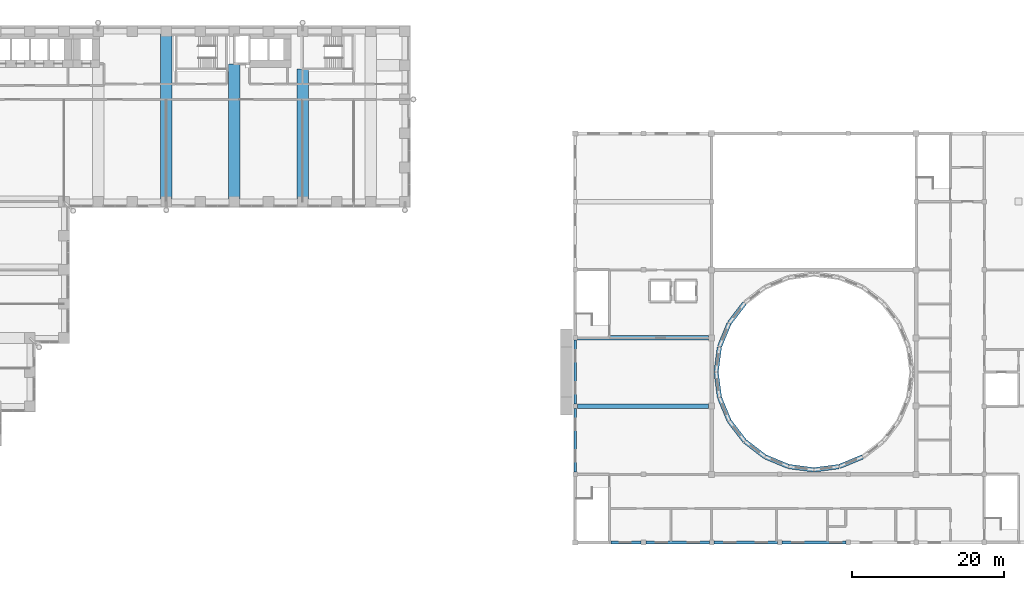
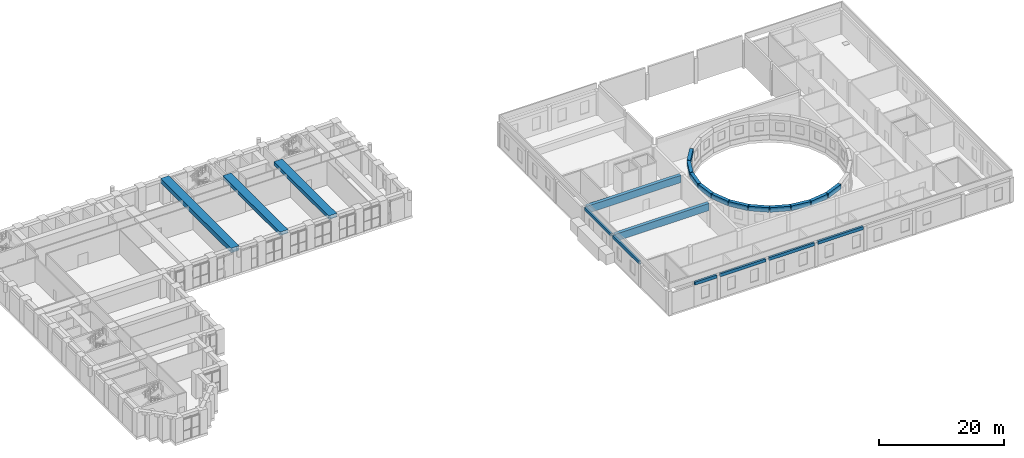
# One storey, part 7 of 35: 22 beams.
"""IFC4 building model written with IfcOpenShell, lengths in metres."""

from ifc_helpers import new_model, si_unit, direction, frame, origin, origin_2d, place, context, subcontext, project, spatial, rectangle, extrude, material, material_profile, profile_set, type_object, element, save


model = new_model("IFC4")

# Units and contexts
model_context = context("Model", 3, precision=1e-05, world=origin(), true_north=direction((0.0, 1.0)))
body_context = subcontext(model_context, "Body", "Model", "MODEL_VIEW")
ifc_project = project(units=[si_unit("LENGTHUNIT", "METRE"), si_unit("AREAUNIT", "SQUARE_METRE"), si_unit("VOLUMEUNIT", "CUBIC_METRE"), si_unit("PLANEANGLEUNIT", "RADIAN"), si_unit("MASSUNIT", "GRAM", prefix="KILO")], contexts=[model_context])

# Site, building, storey
site_placement = place(None, origin())
site = spatial("IfcSite", under=ifc_project, at=site_placement, CompositionType="ELEMENT")
building_placement = place(site_placement, origin())
building = spatial("IfcBuilding", under=site, at=building_placement, Name="Firuza Court", CompositionType="ELEMENT")
storey_placement = place(building_placement, frame((0.0, 0.0, 24.0)))
storey = spatial("IfcBuildingStorey", under=building, at=storey_placement, Name="L04", CompositionType="ELEMENT", Elevation=24.0)

# Beams
ifc_material_1 = material(Name="Concrete C40/50", Category="concrete")
ifc_material_profile_1 = material_profile(ifc_material_1, rectangle(XDim=1.5, YDim=0.699951171875, at=origin_2d()), Name="RC 1500x700")
ifc_profile_set_1 = profile_set([ifc_material_profile_1], Name="Concrete C40/50")
beam_type_1 = type_object("IfcBeamType", Name="Band beam RC 1500x700 C40/50", PredefinedType="BEAM", material=ifc_profile_set_1)
beam_1_placement = place(storey_placement, frame((45.0, 36.0, 4.35009765625), z_axis=(0.0, 1.0, 0.0), x_axis=(-1.0, 0.0, 0.0)))
element("IfcBeam", 1, at=beam_1_placement, inside=storey, type_object=beam_type_1, Name="Band beam FB1 level L05", PredefinedType="BEAM", context=body_context, shape_type="SweptSolid", body=[
    extrude(rectangle(XDim=1.5, YDim=0.699951171875, at=origin_2d()), origin(), (0.0, 0.0, 1.0), 18.199951171875),
])
beam_2_placement = place(storey_placement, frame((54.0, 36.0, 4.35009765625), z_axis=(0.0, 1.0, 0.0), x_axis=(-1.0, 0.0, 0.0)))
element("IfcBeam", 2, at=beam_2_placement, inside=storey, type_object=beam_type_1, Name="Band beam FB1 level L05", PredefinedType="BEAM", context=body_context, shape_type="SweptSolid", body=[
    extrude(rectangle(XDim=1.5, YDim=0.699951171875, at=origin_2d()), origin(), (0.0, 0.0, 1.0), 17.5),
])
ifc_material_2 = material(Name="Concrete C40/50", Category="concrete")
ifc_material_profile_2 = material_profile(ifc_material_2, rectangle(XDim=1.5, YDim=0.89990234375, at=origin_2d()), Name="RC 1500x900")
ifc_profile_set_2 = profile_set([ifc_material_profile_2], Name="Concrete C40/50")
beam_type_2 = type_object("IfcBeamType", Name="Band beam RC 1500x900 C40/50", PredefinedType="BEAM", material=ifc_profile_set_2)
beam_3_placement = place(storey_placement, frame((36.0, 36.0, 4.25), z_axis=(0.0, 1.0, 0.0), x_axis=(-1.0, 0.0, 0.0)))
element("IfcBeam", 3, at=beam_3_placement, inside=storey, type_object=beam_type_2, Name="Band beam FB2 level L05", PredefinedType="BEAM", context=body_context, shape_type="SweptSolid", body=[
    extrude(rectangle(XDim=1.5, YDim=0.89990234375, at=origin_2d()), origin(), (0.0, 0.0, 1.0), 22.5),
])
ifc_material_3 = material(Name="Concrete C40/50", Category="concrete")
ifc_material_profile_3 = material_profile(ifc_material_3, rectangle(XDim=0.60009765625, YDim=0.89990234375, at=origin_2d()), Name="RC 600X900 RING")
ifc_profile_set_3 = profile_set([ifc_material_profile_3], Name="Concrete C40/50")
beam_type_3 = type_object("IfcBeamType", Name="RC DRUM RING BEAM 600X900", PredefinedType="BEAM", material=ifc_profile_set_3)
for number, where, z_axis, x_axis, name in (
    (4, (112.346923828125, 22.59765625, 4.85009765625), (-0.608781872031, -0.79333765339, 0.0), (0.79333765339, -0.608781872031, 0.0), "Drum ring beam 10"),
    (5, (110.30419921875, 19.918701171875, 4.85009765625), (-0.382681538037, -0.923880317165, 0.0), (0.923880317165, -0.382681538037, 0.0), "Drum ring beam 11"),
    (6, (109.0244140625, 16.80224609375, 4.85009765625), (-0.130550451475, -0.99144166728, 0.0), (0.99144166728, -0.130550451475, 0.0), "Drum ring beam 12"),
    (7, (108.5947265625, 13.4609375, 4.85009765625), (0.130550451475, -0.99144166728, 0.0), (0.99144166728, 0.130550451475, 0.0), "Drum ring beam 13"),
    (8, (109.044677734375, 10.1220703125, 4.85009765625), (0.382681538037, -0.923880317165, 0.0), (0.923880317165, 0.382681538037, 0.0), "Drum ring beam 14"),
    (9, (110.34326171875, 7.013427734375, 4.85009765625), (0.608781872031, -0.79333765339, 0.0), (0.79333765339, 0.608781872031, 0.0), "Drum ring beam 15"),
    (10, (112.40234375, 4.346923828125, 4.85009765625), (0.79333765339, -0.608781872031, 0.0), (0.608781872031, 0.79333765339, 0.0), "Drum ring beam 16"),
    (11, (115.081298828125, 2.30419921875, 4.85009765625), (0.923880317165, -0.382681538037, 0.0), (0.382681538037, 0.923880317165, 0.0), "Drum ring beam 17"),
    (12, (118.19775390625, 1.0244140625, 4.85009765625), (0.99144166728, -0.130550451475, 0.0), (0.130550451475, 0.99144166728, 0.0), "Drum ring beam 18"),
    (13, (121.5390625, 0.5947265625, 4.85009765625), (0.99144166728, 0.130550451475, 0.0), (-0.130550451475, 0.99144166728, 0.0), "Drum ring beam 19"),
    (14, (124.8779296875, 1.044677734375, 4.85009765625), (0.923880317165, 0.382681538037, 0.0), (-0.382681538037, 0.923880317165, 0.0), "Drum ring beam 20"),
):
    element("IfcBeam", number, at=place(storey_placement, frame(where, z_axis=z_axis, x_axis=x_axis)), inside=storey, type_object=beam_type_3, Name=name, PredefinedType="BEAM", context=body_context, shape_type="SweptSolid", body=[
        extrude(rectangle(XDim=0.60009765625, YDim=0.89990234375, at=origin_2d()), origin(), (0.0, 0.0, 1.0), 3.291259765625),
    ])
ifc_material_4 = material(Name="Concrete C40/50", Category="concrete")
ifc_material_profile_4 = material_profile(ifc_material_4, rectangle(XDim=0.60009765625, YDim=1.39990234375, at=origin_2d()), Name="RC 600X1400")
ifc_profile_set_4 = profile_set([ifc_material_profile_4], Name="Concrete C40/50")
beam_type_4 = type_object("IfcBeamType", Name="RC GIRDER 600X1400", PredefinedType="BEAM", material=ifc_profile_set_4)
beam_4_placement = place(storey_placement, frame((90.300537109375, 9.0, 4.0), z_axis=(1.0, 0.0, 0.0), x_axis=(0.0, 1.0, 0.0)))
element("IfcBeam", 15, at=beam_4_placement, inside=storey, type_object=beam_type_4, Name="Girder 9 L04", PredefinedType="BEAM", context=body_context, shape_type="SweptSolid", body=[
    extrude(rectangle(XDim=0.60009765625, YDim=1.39990234375, at=origin_2d()), origin(), (0.0, 0.0, 1.0), 17.299072265625),
])
ifc_material_5 = material(Name="Concrete C40/50", Category="concrete")
ifc_material_profile_5 = material_profile(ifc_material_5, rectangle(XDim=0.35009765625, YDim=0.60009765625, at=origin_2d()), Name="RC 350X600")
ifc_profile_set_5 = profile_set([ifc_material_profile_5], Name="Concrete C40/50")
beam_type_5 = type_object("IfcBeamType", Name="RC RING BEAM 350X600", PredefinedType="BEAM", material=ifc_profile_set_5)
beam_5_placement = place(storey_placement, frame((94.699951171875, -9.0, 4.39990234375), z_axis=(1.0, 0.0, 0.0), x_axis=(0.0, 1.0, 0.0)))
element("IfcBeam", 16, at=beam_5_placement, inside=storey, type_object=beam_type_5, Name="Edge beam S1.1 L04", PredefinedType="BEAM", context=body_context, shape_type="SweptSolid", body=[
    extrude(rectangle(XDim=0.35009765625, YDim=0.60009765625, at=origin_2d()), origin(), (0.0, 0.0, 1.0), 4.0),
])
for number, where, z_axis, x_axis, name in (
    (17, (99.300048828125, -9.0, 4.39990234375), (1.0, 0.0, 0.0), (0.0, 1.0, 0.0), "Edge beam S3.1 L04"),
    (18, (108.300048828125, -9.0, 4.39990234375), (1.0, 0.0, 0.0), (0.0, 1.0, 0.0), "Edge beam S5.1 L04"),
    (19, (117.300048828125, -9.0, 4.39990234375), (1.0, 0.0, 0.0), (0.0, 1.0, 0.0), "Edge beam S7.1 L04"),
    (20, (90.0, 0.300048828125, 4.39990234375), (0.0, 1.0, 0.0), (-1.0, 0.0, 0.0), "Edge beam W3.1 L04"),
    (21, (90.0, 9.300048828125, 4.39990234375), (0.0, 1.0, 0.0), (-1.0, 0.0, 0.0), "Edge beam W5.1 L04"),
):
    element("IfcBeam", number, at=place(storey_placement, frame(where, z_axis=z_axis, x_axis=x_axis)), inside=storey, type_object=beam_type_5, Name=name, PredefinedType="BEAM", context=body_context, shape_type="SweptSolid", body=[
        extrude(rectangle(XDim=0.35009765625, YDim=0.60009765625, at=origin_2d()), origin(), (0.0, 0.0, 1.0), 8.39990234375),
    ])
ifc_material_6 = material(Name="Concrete C40/50", Category="concrete")
ifc_material_profile_6 = material_profile(ifc_material_6, rectangle(XDim=0.60009765625, YDim=1.39990234375, at=origin_2d()), Name="RC 600X1400")
ifc_profile_set_6 = profile_set([ifc_material_profile_6], Name="Concrete C40/50")
beam_type_6 = type_object("IfcBeamType", Name="RC WALL BEAM 600X1400", PredefinedType="BEAM", material=ifc_profile_set_6)
beam_6_placement = place(storey_placement, frame((90.300537109375, 18.0, 4.0), z_axis=(1.0, 0.0, 0.0), x_axis=(0.0, 1.0, 0.0)))
element("IfcBeam", 22, at=beam_6_placement, inside=storey, type_object=beam_type_6, Name="Girder 18 L04", PredefinedType="BEAM", context=body_context, shape_type="SweptSolid", body=[
    extrude(rectangle(XDim=0.60009765625, YDim=1.39990234375, at=origin_2d()), origin(), (0.0, 0.0, 1.0), 17.299072265625),
])

save(model, "model.ifc")
